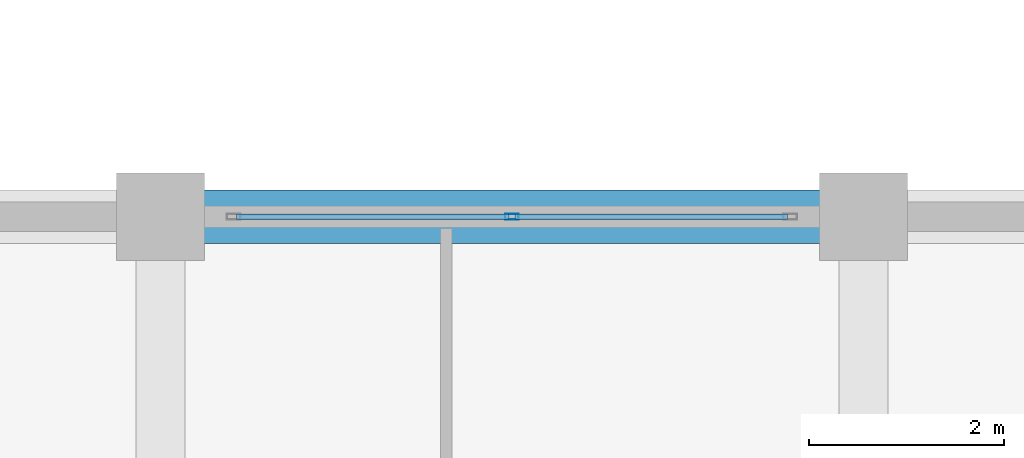
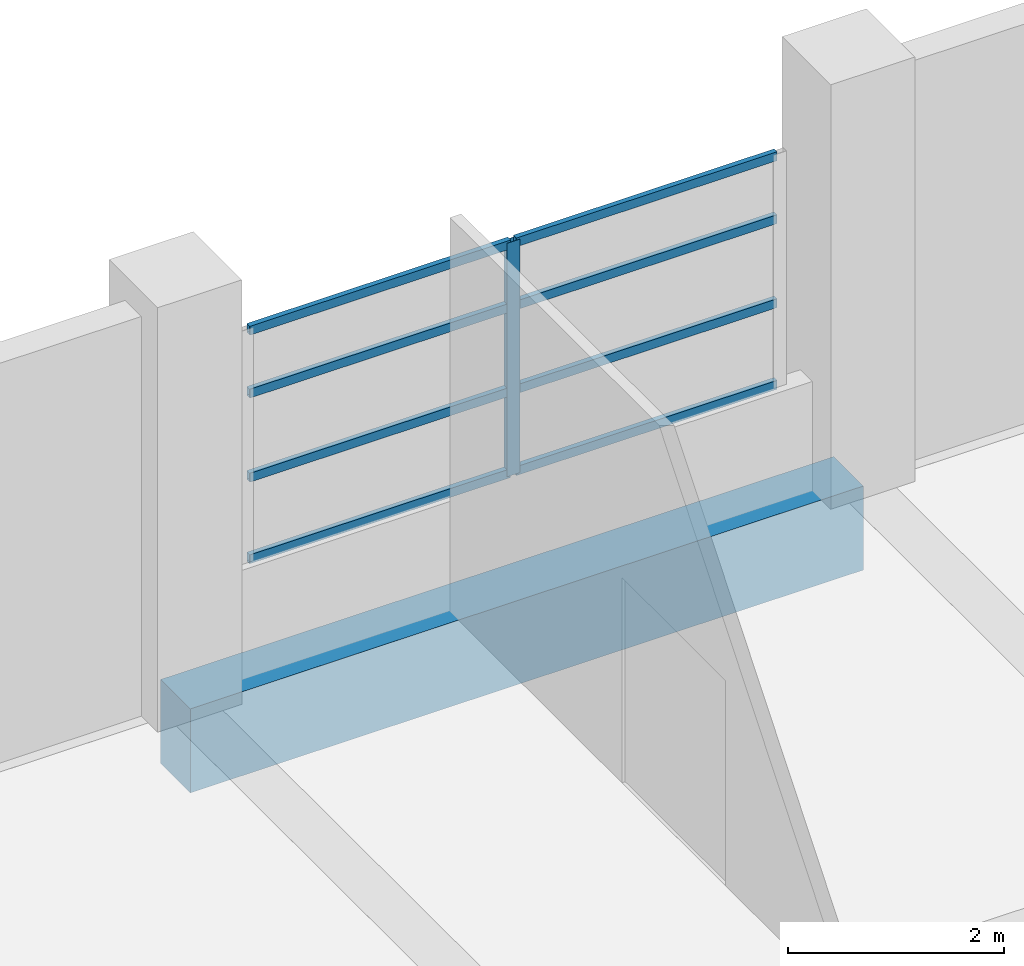
# One storey, part 14 of 181: 9 members, 1 beam, 1 element without a shape of its own.
"""IFC4 building model written with IfcOpenShell, lengths in metres."""

from ifc_helpers import new_model, si_unit, direction, frame, origin, origin_2d, place, context, subcontext, project, spatial, rectangle, hollow_rectangle, extrude, material, layer, layer_set, material_profile, profile_set, type_object, element, aggregate, save


model = new_model("IFC4")

# Units and contexts
model_context = context("Model", 3, precision=1e-05, world=origin(), true_north=direction((0.0, 1.0)))
body_context = subcontext(model_context, "Body", "Model", "MODEL_VIEW")
ifc_project = project(units=[si_unit("LENGTHUNIT", "METRE"), si_unit("AREAUNIT", "SQUARE_METRE"), si_unit("VOLUMEUNIT", "CUBIC_METRE"), si_unit("PLANEANGLEUNIT", "RADIAN"), si_unit("MASSUNIT", "GRAM", prefix="KILO")], contexts=[model_context])

# Site, building, storey
site_placement = place(None, origin())
site = spatial("IfcSite", under=ifc_project, at=site_placement, CompositionType="ELEMENT")
building_placement = place(site_placement, origin())
building = spatial("IfcBuilding", under=site, at=building_placement, Name="Seraya Terrace Polytechnic", CompositionType="ELEMENT")
storey_placement = place(building_placement, frame((0.0, 0.0, 4.800048828125)))
storey = spatial("IfcBuildingStorey", under=building, at=storey_placement, Name="L01", CompositionType="ELEMENT", Elevation=4.800048828125)

# Beam
ifc_material_1 = material(Name="Concrete C40/50", Category="concrete")
ifc_material_profile_1 = material_profile(ifc_material_1, rectangle(XDim=0.550048828125, YDim=0.949951171875, at=origin_2d()), Name="RC 550x950")
ifc_profile_set_1 = profile_set([ifc_material_profile_1], Name="Concrete C40/50")
beam_type = type_object("IfcBeamType", Name="BM-03", PredefinedType="BEAM", material=ifc_profile_set_1)
beam_placement = place(storey_placement, frame((57.60009765625, 28.800048828125, -0.47509765625), z_axis=(1.0, 0.0, 0.0), x_axis=(0.0, 1.0, 0.0)))
element("IfcBeam", 1, at=beam_placement, inside=storey, type_object=beam_type, Name="Beam BM-03 L01 X (57.6..64.8, 28.8)", PredefinedType="BEAM", context=body_context, shape_type="SweptSolid", body=[
    extrude(rectangle(XDim=0.550048828125, YDim=0.949951171875, at=origin_2d()), origin(), (0.0, 0.0, 1.0), 7.199951171875),
])

# Curtain wall, members
ifc_material_2 = material(Name="Anodised aluminium EN AW-6063 T6", Category="aluminium")
ifc_layer = layer(ifc_material_2, 0.179931640625, Name="CW-03")
ifc_layer_set = layer_set([ifc_layer], Name="Anodised aluminium EN AW-6063 T6")
curtain_wall_type = type_object("IfcCurtainWallType", Name="CW-03", PredefinedType="NOTDEFINED", material=ifc_layer_set)
curtain_wall_placement = place(storey_placement, origin())
curtain_wall = element("IfcCurtainWall", 2, at=curtain_wall_placement, inside=storey, type_object=curtain_wall_type, Name="Unitised curtain wall CW-03 (CW-L01-039)", PredefinedType="NOTDEFINED")
ifc_material_profile_2 = material_profile(ifc_material_2, hollow_rectangle(XDim=0.06005859375, YDim=0.139892578125, WallThickness=0.00341796875, at=origin_2d()), Name="RHS 140x60x3.5")
ifc_profile_set_2 = profile_set([ifc_material_profile_2], Name="Anodised aluminium EN AW-6063 T6")
member_type_1 = type_object("IfcMemberType", Name="CWM-03", PredefinedType="MULLION", material=ifc_profile_set_2)
member_1_placement = place(storey_placement, frame((61.199951171875, 28.800048828125, 1.239990234375), z_axis=(0.0, 0.0, 1.0), x_axis=(0.0, 1.0, 0.0)))
member_1 = element("IfcMember", 3, at=member_1_placement, type_object=member_type_1, Name="CW-03 mullion 2", PredefinedType="MULLION", context=body_context, shape_type="SweptSolid", body=[
    extrude(hollow_rectangle(XDim=0.06005859375, YDim=0.139892578125, WallThickness=0.00341796875, at=origin_2d()), origin(), (0.0, 0.0, 1.0), 2.639892578125),
])
ifc_material_profile_3 = material_profile(ifc_material_2, hollow_rectangle(XDim=0.054931640625, YDim=0.10009765625, WallThickness=0.0029296875, at=origin_2d()), Name="RHS 100x55x3.0")
ifc_profile_set_3 = profile_set([ifc_material_profile_3], Name="Anodised aluminium EN AW-6063 T6")
member_type_2 = type_object("IfcMemberType", Name="CWT-03", PredefinedType="USERDEFINED", material=ifc_profile_set_3)
member_2_placement = place(storey_placement, frame((58.3798828125, 28.800048828125, 1.267333984375), z_axis=(1.0, 0.0, 0.0), x_axis=(0.0, 1.0, 0.0)))
member_2 = element("IfcMember", 4, at=member_2_placement, type_object=member_type_2, Name="CW-03 transom 1.1", ObjectType="TRANSOM", PredefinedType="USERDEFINED", context=body_context, shape_type="SweptSolid", body=[
    extrude(hollow_rectangle(XDim=0.054931640625, YDim=0.10009765625, WallThickness=0.0029296875, at=origin_2d()), origin(), (0.0, 0.0, 1.0), 2.7900390625),
])
member_3_placement = place(storey_placement, frame((58.3798828125, 28.800048828125, 2.1904296875), z_axis=(1.0, 0.0, 0.0), x_axis=(0.0, 1.0, 0.0)))
member_3 = element("IfcMember", 5, at=member_3_placement, type_object=member_type_2, Name="CW-03 transom 1.2", ObjectType="TRANSOM", PredefinedType="USERDEFINED", context=body_context, shape_type="SweptSolid", body=[
    extrude(hollow_rectangle(XDim=0.054931640625, YDim=0.10009765625, WallThickness=0.0029296875, at=origin_2d()), origin(), (0.0, 0.0, 1.0), 2.7900390625),
])
member_4_placement = place(storey_placement, frame((58.3798828125, 28.800048828125, 3.140869140625), z_axis=(1.0, 0.0, 0.0), x_axis=(0.0, 1.0, 0.0)))
member_4 = element("IfcMember", 6, at=member_4_placement, type_object=member_type_2, Name="CW-03 transom 1.3", ObjectType="TRANSOM", PredefinedType="USERDEFINED", context=body_context, shape_type="SweptSolid", body=[
    extrude(hollow_rectangle(XDim=0.054931640625, YDim=0.10009765625, WallThickness=0.0029296875, at=origin_2d()), origin(), (0.0, 0.0, 1.0), 2.7900390625),
])
member_5_placement = place(storey_placement, frame((58.3798828125, 28.800048828125, 3.8525390625), z_axis=(1.0, 0.0, 0.0), x_axis=(0.0, 1.0, 0.0)))
member_5 = element("IfcMember", 7, at=member_5_placement, type_object=member_type_2, Name="CW-03 transom 1.4", ObjectType="TRANSOM", PredefinedType="USERDEFINED", context=body_context, shape_type="SweptSolid", body=[
    extrude(hollow_rectangle(XDim=0.054931640625, YDim=0.10009765625, WallThickness=0.0029296875, at=origin_2d()), origin(), (0.0, 0.0, 1.0), 2.7900390625),
])
member_6_placement = place(storey_placement, frame((61.22998046875, 28.800048828125, 1.267333984375), z_axis=(1.0, 0.0, 0.0), x_axis=(0.0, 1.0, 0.0)))
member_6 = element("IfcMember", 8, at=member_6_placement, type_object=member_type_2, Name="CW-03 transom 2.1", ObjectType="TRANSOM", PredefinedType="USERDEFINED", context=body_context, shape_type="SweptSolid", body=[
    extrude(hollow_rectangle(XDim=0.054931640625, YDim=0.10009765625, WallThickness=0.0029296875, at=origin_2d()), origin(), (0.0, 0.0, 1.0), 2.7900390625),
])
member_7_placement = place(storey_placement, frame((61.22998046875, 28.800048828125, 2.1904296875), z_axis=(1.0, 0.0, 0.0), x_axis=(0.0, 1.0, 0.0)))
member_7 = element("IfcMember", 9, at=member_7_placement, type_object=member_type_2, Name="CW-03 transom 2.2", ObjectType="TRANSOM", PredefinedType="USERDEFINED", context=body_context, shape_type="SweptSolid", body=[
    extrude(hollow_rectangle(XDim=0.054931640625, YDim=0.10009765625, WallThickness=0.0029296875, at=origin_2d()), origin(), (0.0, 0.0, 1.0), 2.7900390625),
])
member_8_placement = place(storey_placement, frame((61.22998046875, 28.800048828125, 3.140869140625), z_axis=(1.0, 0.0, 0.0), x_axis=(0.0, 1.0, 0.0)))
member_8 = element("IfcMember", 10, at=member_8_placement, type_object=member_type_2, Name="CW-03 transom 2.3", ObjectType="TRANSOM", PredefinedType="USERDEFINED", context=body_context, shape_type="SweptSolid", body=[
    extrude(hollow_rectangle(XDim=0.054931640625, YDim=0.10009765625, WallThickness=0.0029296875, at=origin_2d()), origin(), (0.0, 0.0, 1.0), 2.7900390625),
])
member_9_placement = place(storey_placement, frame((61.22998046875, 28.800048828125, 3.8525390625), z_axis=(1.0, 0.0, 0.0), x_axis=(0.0, 1.0, 0.0)))
member_9 = element("IfcMember", 11, at=member_9_placement, type_object=member_type_2, Name="CW-03 transom 2.4", ObjectType="TRANSOM", PredefinedType="USERDEFINED", context=body_context, shape_type="SweptSolid", body=[
    extrude(hollow_rectangle(XDim=0.054931640625, YDim=0.10009765625, WallThickness=0.0029296875, at=origin_2d()), origin(), (0.0, 0.0, 1.0), 2.7900390625),
])
aggregate(curtain_wall, [member_1, member_2, member_3, member_4, member_5, member_6, member_7, member_8, member_9])

save(model, "model.ifc")
